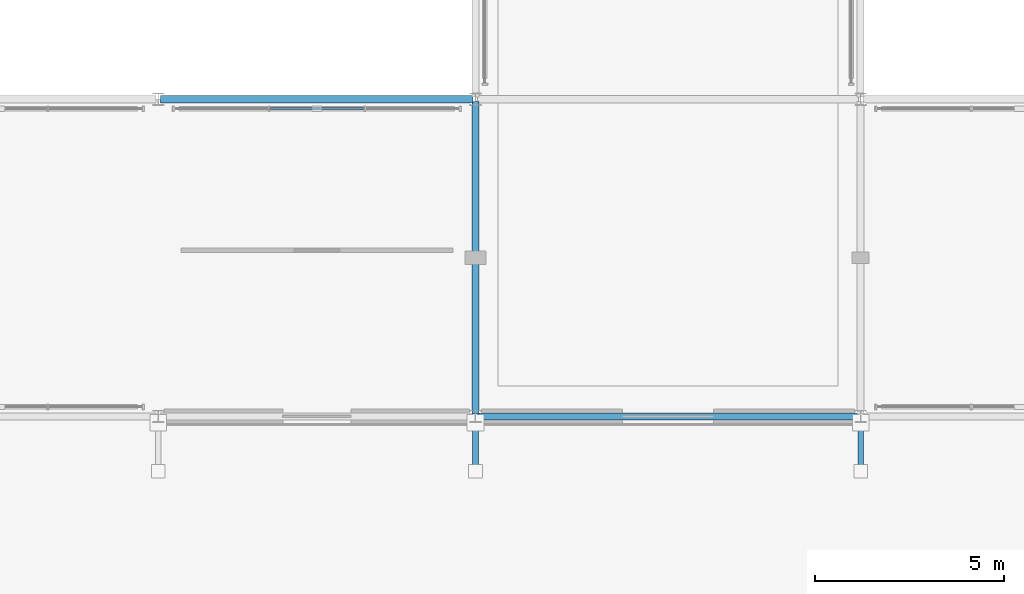
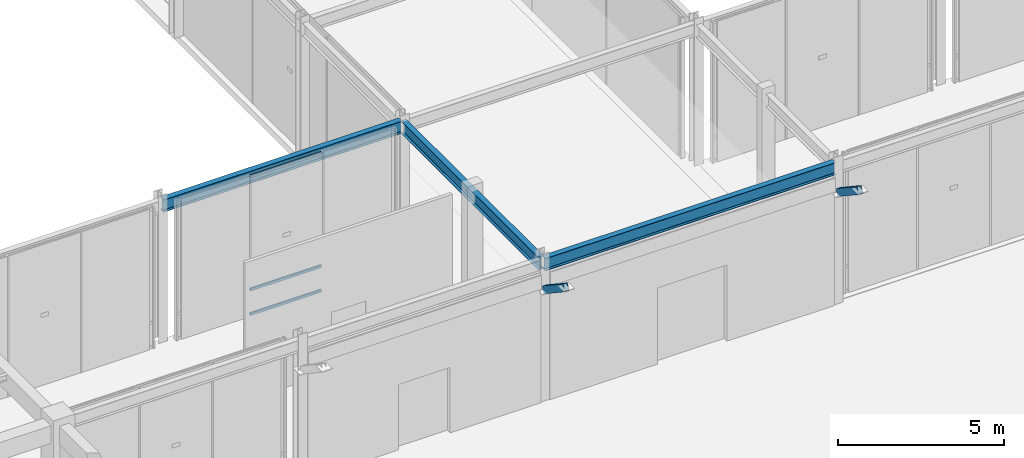
# One storey, part 27 of 157: 5 members, 3 beams, 1 element without a shape of its own.
"""IFC4 building model written with IfcOpenShell, lengths in metres."""

from ifc_helpers import new_model, si_unit, direction, frame, origin, origin_2d, place, context, subcontext, project, spatial, hollow_rectangle, i_section, extrude, material, material_profile, profile_set, type_object, element, aggregate, save


model = new_model("IFC4")

# Units and contexts
model_context = context("Model", 3, precision=1e-05, world=origin(), true_north=direction((0.0, 1.0)))
body_context = subcontext(model_context, "Body", "Model", "MODEL_VIEW")
ifc_project = project(units=[si_unit("LENGTHUNIT", "METRE"), si_unit("AREAUNIT", "SQUARE_METRE"), si_unit("VOLUMEUNIT", "CUBIC_METRE"), si_unit("PLANEANGLEUNIT", "RADIAN"), si_unit("MASSUNIT", "GRAM", prefix="KILO"), si_unit("THERMODYNAMICTEMPERATUREUNIT", "KELVIN"), si_unit("POWERUNIT", "WATT")], contexts=[model_context])

# Site, building, storey
site_placement = place(None, origin())
site = spatial("IfcSite", under=ifc_project, at=site_placement, CompositionType="ELEMENT")
building_placement = place(site_placement, origin())
building = spatial("IfcBuilding", under=site, at=building_placement, Name="Darbajah Civic Hall", CompositionType="ELEMENT")
storey_placement = place(building_placement, origin())
storey = spatial("IfcBuildingStorey", under=building, at=storey_placement, Name="L00", CompositionType="ELEMENT", Elevation=0.0)

# Curtain wall, members
ifc_material_1 = material(Name="Anodised Bronze Aluminium and Low-E Glazing", Category="aluminium")
curtain_wall_type = type_object("IfcCurtainWallType", Name="Unitised Curtain Wall CW-101 7600x5150", PredefinedType="USERDEFINED", material=ifc_material_1)
curtain_wall_placement = place(storey_placement, origin())
curtain_wall = element("IfcCurtainWall", 1, at=curtain_wall_placement, inside=storey, type_object=curtain_wall_type, Name="L00 unitised curtain wall CW-V6-SW-N2-L00", ObjectType="UNITISED CURTAIN WALL", PredefinedType="USERDEFINED")
ifc_material_2 = material(Name="Anodised Bronze Aluminium", Category="aluminium")
ifc_material_profile_1 = material_profile(ifc_material_2, hollow_rectangle(XDim=0.054931640625, YDim=0.10009765625, WallThickness=0.0029296875, at=origin_2d()), Name="ALU TRANSOM 55x100")
ifc_profile_set_1 = profile_set([ifc_material_profile_1], Name="Anodised Bronze Aluminium")
member_type_1 = type_object("IfcMemberType", Name="ALU TRANSOM 55x100", PredefinedType="USERDEFINED", material=ifc_profile_set_1)
member_1_placement = place(storey_placement, frame((78.56591796875, 41.75, 0.050048828125), z_axis=(1.0, 0.0, 0.0), x_axis=(0.0, 1.0, 0.0)))
member_1 = element("IfcMember", 2, at=member_1_placement, type_object=member_type_1, Name="CW-V6-SW-N2-L00 transom 2.1", ObjectType="TRANSOM", PredefinedType="USERDEFINED", context=body_context, shape_type="SweptSolid", body=[
    extrude(hollow_rectangle(XDim=0.054931640625, YDim=0.10009765625, WallThickness=0.0029296875, at=origin_2d()), origin(), (0.0, 0.0, 1.0), 2.46826171875),
])
member_2_placement = place(storey_placement, frame((78.56591796875, 41.75, 0.949951171875), z_axis=(1.0, 0.0, 0.0), x_axis=(0.0, 1.0, 0.0)))
member_2 = element("IfcMember", 3, at=member_2_placement, type_object=member_type_1, Name="CW-V6-SW-N2-L00 transom 2.2", ObjectType="TRANSOM", PredefinedType="USERDEFINED", context=body_context, shape_type="SweptSolid", body=[
    extrude(hollow_rectangle(XDim=0.054931640625, YDim=0.10009765625, WallThickness=0.0029296875, at=origin_2d()), origin(), (0.0, 0.0, 1.0), 2.46826171875),
])
member_3_placement = place(storey_placement, frame((78.56591796875, 41.75, 5.110107421875), z_axis=(1.0, 0.0, 0.0), x_axis=(0.0, 1.0, 0.0)))
member_3 = element("IfcMember", 4, at=member_3_placement, type_object=member_type_1, Name="CW-V6-SW-N2-L00 transom 2.3", ObjectType="TRANSOM", PredefinedType="USERDEFINED", context=body_context, shape_type="SweptSolid", body=[
    extrude(hollow_rectangle(XDim=0.054931640625, YDim=0.10009765625, WallThickness=0.0029296875, at=origin_2d()), origin(), (0.0, 0.0, 1.0), 2.46826171875),
])
aggregate(curtain_wall, [member_1, member_2, member_3])

# Members
ifc_material_3 = material(Name="Steel S355JR", Category="steel")
ifc_material_profile_2 = material_profile(ifc_material_3, hollow_rectangle(XDim=0.14990234375, YDim=0.25, WallThickness=0.010009765625, at=origin_2d()), Name="RHS 250x150x10")
ifc_profile_set_2 = profile_set([ifc_material_profile_2], Name="Steel S355JR")
member_type_2 = type_object("IfcMemberType", Name="RHS 250x150x10", PredefinedType="STRUT", material=ifc_profile_set_2)
for number, where, z_axis, x_axis, name in (
    (5, (84.0, 33.431884765625, 4.10009765625), (0.0, -0.833488262509, 0.552537162787), (1.0, 0.0, 0.0), "L00 chhajja canopy raking strut 2"),
    (6, (94.199951171875, 33.431884765625, 4.10009765625), (0.0, -0.833488262509, 0.552537162787), (1.0, 0.0, 0.0), "L00 chhajja canopy raking strut 3"),
):
    element("IfcMember", number, at=place(storey_placement, frame(where, z_axis=z_axis, x_axis=x_axis)), inside=storey, type_object=member_type_2, Name=name, PredefinedType="STRUT", context=body_context, shape_type="SweptSolid", body=[
        extrude(hollow_rectangle(XDim=0.14990234375, YDim=0.25, WallThickness=0.010009765625, at=origin_2d()), origin(), (0.0, 0.0, 1.0), 1.5380859375),
    ])

# Beams
ifc_material_profile_3 = material_profile(ifc_material_3, i_section(OverallWidth=0.1904296875, OverallDepth=0.45703125, WebThickness=0.009033203125, FlangeThickness=0.014404296875, FilletRadius=0.01025390625, at=origin_2d()), Name="UB 457x191x74")
ifc_profile_set_3 = profile_set([ifc_material_profile_3], Name="Steel S355JR")
beam_type = type_object("IfcBeamType", Name="UB 457x191x74", PredefinedType="BEAM", material=ifc_profile_set_3)
beam_1_placement = place(storey_placement, frame((75.659912109375, 42.0, 4.931396484375), z_axis=(1.0, 0.0, 0.0), x_axis=(0.0, 1.0, 0.0)))
element("IfcBeam", 7, at=beam_1_placement, inside=storey, type_object=beam_type, Name="L00 beam SB-457", PredefinedType="BEAM", context=body_context, shape_type="SweptSolid", body=[
    extrude(i_section(OverallWidth=0.1904296875, OverallDepth=0.45703125, WebThickness=0.009033203125, FlangeThickness=0.014404296875, FilletRadius=0.01025390625, at=origin_2d()), origin(), (0.0, 0.0, 1.0), 8.280029296875),
])
beam_2_placement = place(storey_placement, frame((84.06005859375, 33.60009765625, 4.931396484375), z_axis=(1.0, 0.0, 0.0), x_axis=(0.0, 1.0, 0.0)))
element("IfcBeam", 8, at=beam_2_placement, inside=storey, type_object=beam_type, Name="L00 beam SB-457", PredefinedType="BEAM", context=body_context, shape_type="SweptSolid", body=[
    extrude(i_section(OverallWidth=0.1904296875, OverallDepth=0.45703125, WebThickness=0.009033203125, FlangeThickness=0.014404296875, FilletRadius=0.01025390625, at=origin_2d()), origin(), (0.0, 0.0, 1.0), 10.079833984375),
])
beam_3_placement = place(storey_placement, frame((84.0, 33.659912109375, 4.931396484375), z_axis=(0.0, 1.0, 0.0), x_axis=(-1.0, 0.0, 0.0)))
element("IfcBeam", 9, at=beam_3_placement, inside=storey, type_object=beam_type, Name="L00 beam SB-457", PredefinedType="BEAM", context=body_context, shape_type="SweptSolid", body=[
    extrude(i_section(OverallWidth=0.1904296875, OverallDepth=0.45703125, WebThickness=0.009033203125, FlangeThickness=0.014404296875, FilletRadius=0.01025390625, at=origin_2d()), origin(), (0.0, 0.0, 1.0), 8.280029296875),
])

save(model, "model.ifc")
